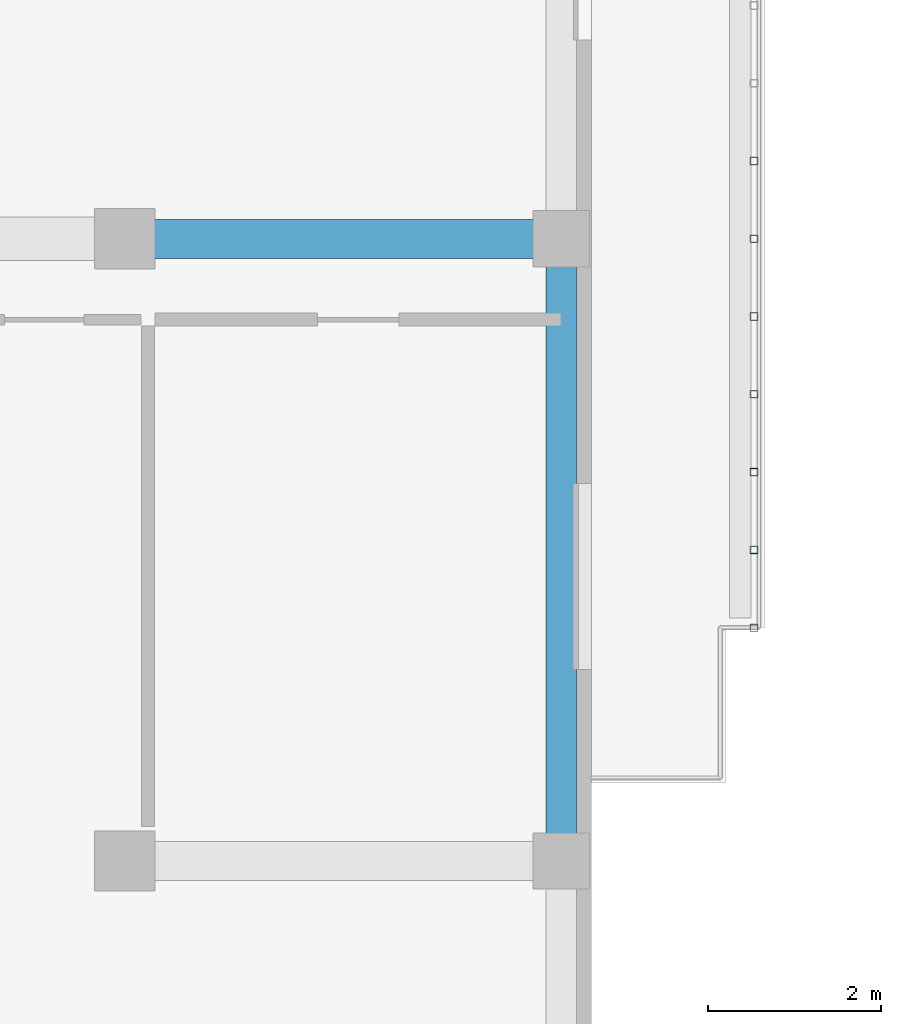
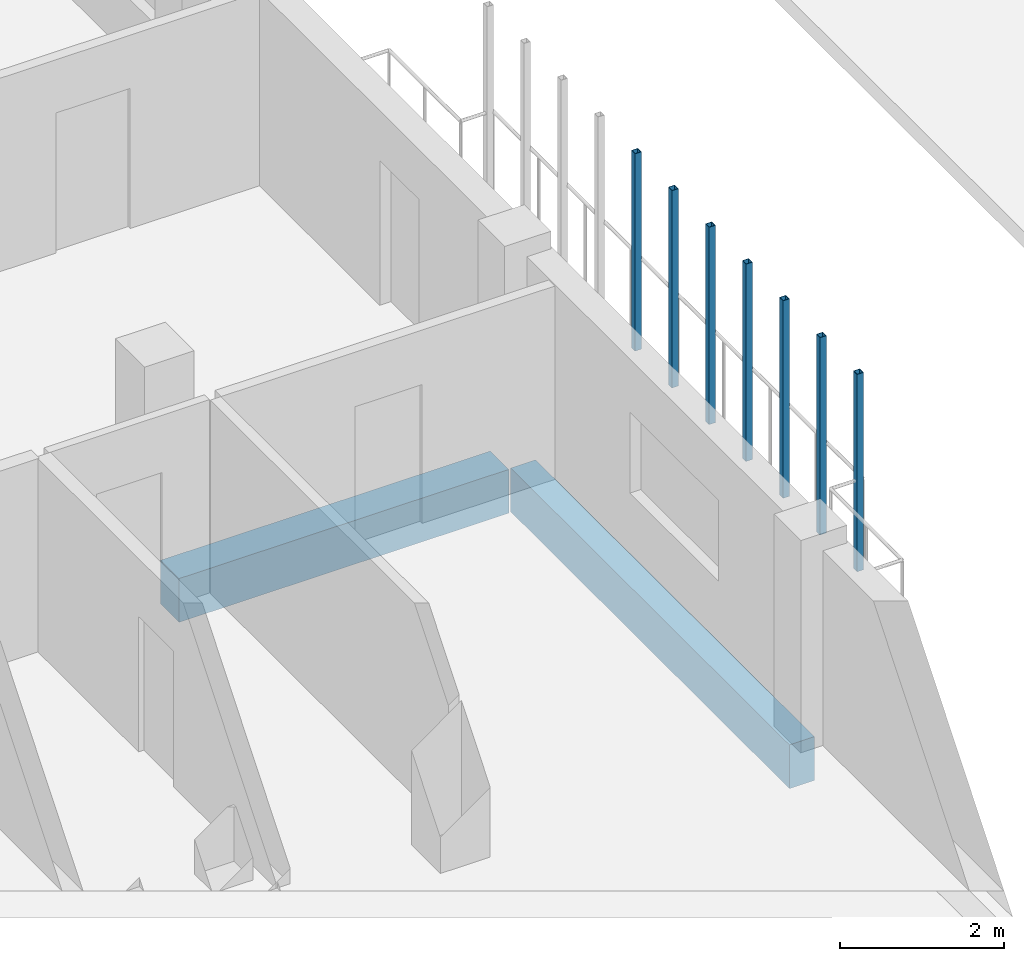
# One storey, part 2 of 51: 7 members, 2 beams.
"""IFC4 building model written with IfcOpenShell, lengths in metres."""

from ifc_helpers import new_model, si_unit, derived_unit, direction, frame, origin, origin_2d, place, context, subcontext, project, spatial, rectangle, hollow_rectangle, extrude, material, material_profile, profile_set, type_object, element, save


model = new_model("IFC4")

# Units and contexts
model_context = context("Model", 3, precision=1e-05, world=origin(), true_north=direction((0.0, 1.0)))
body_context = subcontext(model_context, "Body", "Model", "MODEL_VIEW")
ifc_project = project(units=[si_unit("LENGTHUNIT", "METRE"), si_unit("AREAUNIT", "SQUARE_METRE"), si_unit("VOLUMEUNIT", "CUBIC_METRE"), si_unit("PLANEANGLEUNIT", "RADIAN"), si_unit("MASSUNIT", "GRAM", prefix="KILO"), derived_unit("THERMALTRANSMITTANCEUNIT", [(si_unit("MASSUNIT", "GRAM", prefix="KILO"), 1), (si_unit("TIMEUNIT", "SECOND"), -3), (si_unit("THERMODYNAMICTEMPERATUREUNIT", "KELVIN"), -1)])], contexts=[model_context])

# Site, building, storey
site_placement = place(None, origin())
site = spatial("IfcSite", under=ifc_project, at=site_placement, CompositionType="ELEMENT")
building_placement = place(site_placement, origin())
building = spatial("IfcBuilding", under=site, at=building_placement, Name="Ochrekiln Boulevard Commons", CompositionType="ELEMENT")
storey_placement = place(building_placement, frame((0.0, 0.0, 15.22509765625)))
storey = spatial("IfcBuildingStorey", under=building, at=storey_placement, Name="L04", CompositionType="ELEMENT", Elevation=15.22509765625)

# Beam
ifc_material_1 = material(Name="Concrete C35/45", Category="concrete")
ifc_material_profile_1 = material_profile(ifc_material_1, rectangle(XDim=0.449951171875, YDim=0.64990234375, at=origin_2d()), Name="RC-BM-450x650")
ifc_profile_set_1 = profile_set([ifc_material_profile_1], Name="Concrete C35/45")
beam_type_1 = type_object("IfcBeamType", Name="BM-RC-450x650", PredefinedType="BEAM", material=ifc_profile_set_1)
beam_1_placement = place(storey_placement, frame((16.409912109375, 14.39990234375, -0.585205078125), z_axis=(1.0, 0.0, 0.0), x_axis=(0.0, 1.0, 0.0)))
element("IfcBeam", 1, at=beam_1_placement, inside=storey, type_object=beam_type_1, Name="Block D L04 Beam B-4565 X8", PredefinedType="BEAM", context=body_context, shape_type="SweptSolid", body=[
    extrude(rectangle(XDim=0.449951171875, YDim=0.64990234375, at=origin_2d()), origin(), (0.0, 0.0, 1.0), 4.630126953125),
])

# Members
ifc_material_2 = material(Name="Steel A500 Grade C", Category="steel")
ifc_material_profile_2 = material_profile(ifc_material_2, hollow_rectangle(XDim=0.090087890625, YDim=0.090087890625, WallThickness=0.00634765625, at=origin_2d()), Name="HSS90X90X6.4")
ifc_profile_set_2 = profile_set([ifc_material_profile_2], Name="Steel A500 Grade C")
member_type = type_object("IfcMemberType", Name="MEM-PST-HSS90", PredefinedType="POST", material=ifc_profile_set_2)
for number, where, z_axis, x_axis, name in (
    (2, (23.47998046875, 9.89990234375, 0.0), (0.0, 0.0, 1.0), (1.0, 0.0, 0.0), "Block D L04 Slim Vertical Balcony Post (353)"),
    (3, (23.47998046875, 10.800048828125, 0.0), (0.0, 0.0, 1.0), (1.0, 0.0, 0.0), "Block D L04 Slim Vertical Balcony Post (354)"),
    (4, (23.47998046875, 11.699951171875, 0.0), (0.0, 0.0, 1.0), (1.0, 0.0, 0.0), "Block D L04 Slim Vertical Balcony Post (355)"),
    (5, (23.47998046875, 12.60009765625, 0.0), (0.0, 0.0, 1.0), (1.0, 0.0, 0.0), "Block D L04 Slim Vertical Balcony Post (356)"),
    (6, (23.47998046875, 13.5, 0.0), (0.0, 0.0, 1.0), (1.0, 0.0, 0.0), "Block D L04 Slim Vertical Balcony Post (357)"),
    (7, (23.47998046875, 14.39990234375, 0.0), (0.0, 0.0, 1.0), (1.0, 0.0, 0.0), "Block D L04 Slim Vertical Balcony Post (358)"),
    (8, (23.47998046875, 15.300048828125, 0.0), (0.0, 0.0, 1.0), (1.0, 0.0, 0.0), "Block D L04 Slim Vertical Balcony Post (359)"),
):
    element("IfcMember", number, at=place(storey_placement, frame(where, z_axis=z_axis, x_axis=x_axis)), inside=storey, type_object=member_type, Name=name, PredefinedType="POST", context=body_context, shape_type="SweptSolid", body=[
        extrude(hollow_rectangle(XDim=0.090087890625, YDim=0.090087890625, WallThickness=0.00634765625, at=origin_2d()), origin(), (0.0, 0.0, 1.0), 2.929931640625),
    ])

# Beam
ifc_material_3 = material(Name="Concrete C40/50", Category="concrete")
ifc_material_profile_3 = material_profile(ifc_material_3, rectangle(XDim=0.35009765625, YDim=0.64990234375, at=origin_2d()), Name="RC-SPN-350x650")
ifc_profile_set_3 = profile_set([ifc_material_profile_3], Name="Concrete C40/50")
beam_type_2 = type_object("IfcBeamType", Name="SPN-RC-350x650", PredefinedType="SPANDREL", material=ifc_profile_set_3)
beam_2_placement = place(storey_placement, frame((21.25, 7.409912109375, -0.585205078125), z_axis=(0.0, 1.0, 0.0), x_axis=(-1.0, 0.0, 0.0)))
element("IfcBeam", 9, at=beam_2_placement, inside=storey, type_object=beam_type_2, Name="Block D L04 Beam SP-3565 Y31", PredefinedType="SPANDREL", context=body_context, shape_type="SweptSolid", body=[
    extrude(rectangle(XDim=0.35009765625, YDim=0.64990234375, at=origin_2d()), origin(), (0.0, 0.0, 1.0), 6.780029296875),
])

save(model, "model.ifc")
